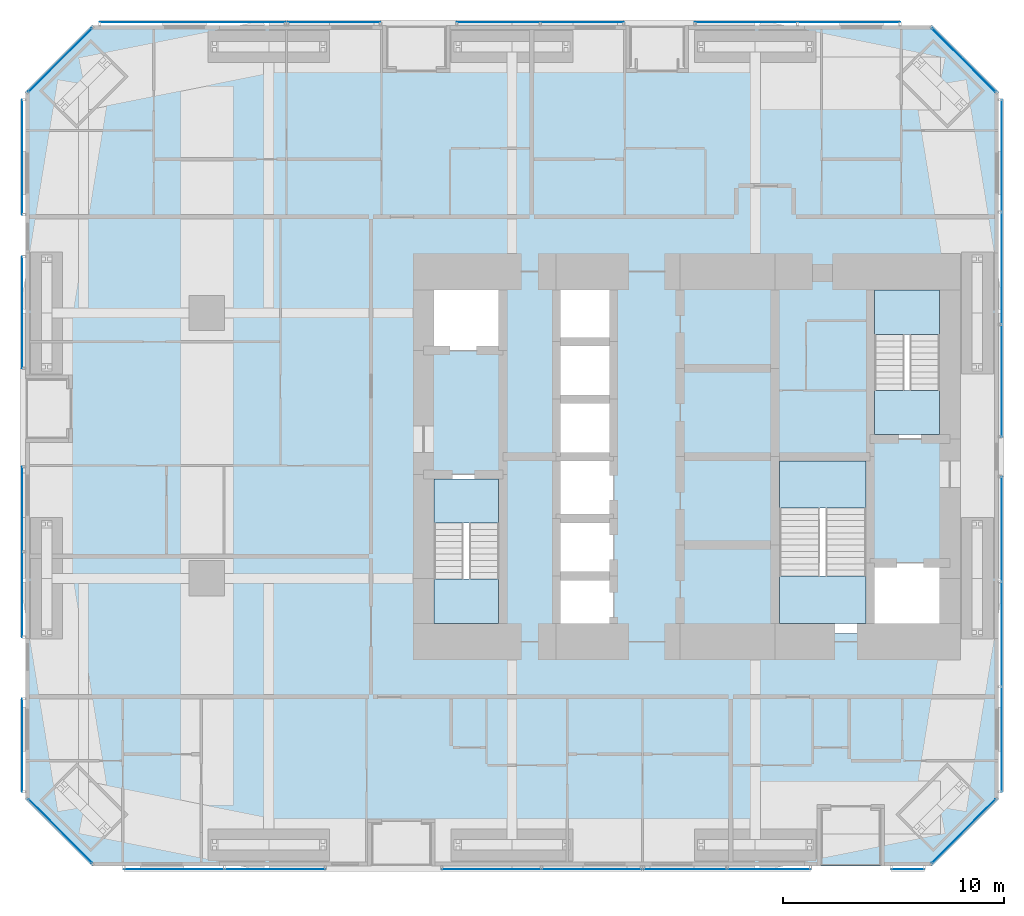
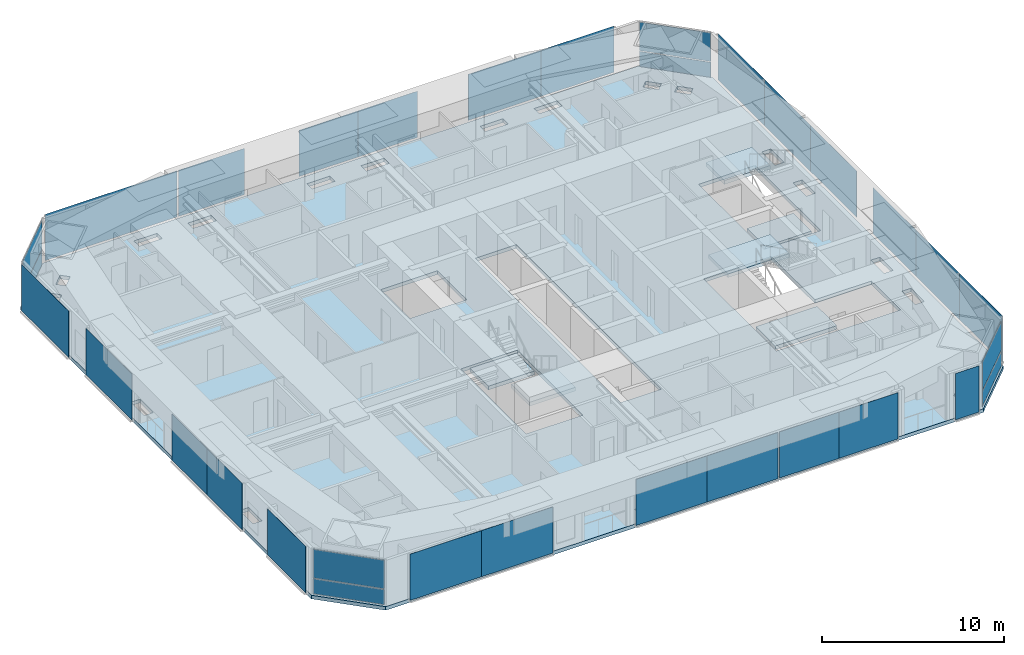
# One storey, part 14 of 22: 32 plates, 7 slabs, 21 elements without a shape of their own.
"""IFC4 building model written with IfcOpenShell, lengths in metres."""

from ifc_helpers import new_model, si_unit, direction, frame, origin, origin_2d, place, context, subcontext, project, spatial, polyline, rectangle, outline, extrude, material, layer, layer_set, type_object, element, aggregate, save


model = new_model("IFC4")

# Units and contexts
model_context = context("Model", 3, precision=1e-05, world=origin(), true_north=direction((0.0, 1.0)))
body_context = subcontext(model_context, "Body", "Model", "MODEL_VIEW")
ifc_project = project(units=[si_unit("LENGTHUNIT", "METRE"), si_unit("AREAUNIT", "SQUARE_METRE"), si_unit("VOLUMEUNIT", "CUBIC_METRE"), si_unit("PLANEANGLEUNIT", "RADIAN"), si_unit("MASSUNIT", "GRAM", prefix="KILO")], contexts=[model_context])

# Site, building, storey
site_placement = place(None, origin())
site = spatial("IfcSite", under=ifc_project, at=site_placement, CompositionType="ELEMENT")
building_placement = place(site_placement, origin())
building = spatial("IfcBuilding", under=site, at=building_placement, Name="Jalousie Tower", CompositionType="ELEMENT")
storey_placement = place(building_placement, frame((0.0, 0.0, 67.89990234375)))
storey = spatial("IfcBuildingStorey", under=building, at=storey_placement, Name="L18", CompositionType="ELEMENT", Elevation=67.89990234375)

# Curtain wall, plates
ifc_material_1 = material(Name="Aluminium curtain wall", Category="aluminium")
curtain_wall_type_1 = type_object("IfcCurtainWallType", Name="CORNER WINDOW WALL", PredefinedType="USERDEFINED", material=ifc_material_1)
curtain_wall_1_placement = place(storey_placement, origin())
curtain_wall_1 = element("IfcCurtainWall", 1, at=curtain_wall_1_placement, inside=storey, type_object=curtain_wall_type_1, Name="Corner Window Wall L18 2", ObjectType="CORNER WINDOW WALL", PredefinedType="USERDEFINED")
ifc_material_2 = material(Name="Laminated impact-rated spandrel glass", Category="glass")
ifc_layer_1 = layer(ifc_material_2, 0.028076171875)
ifc_layer_set_1 = layer_set([ifc_layer_1], Name="Laminated impact-rated spandrel glass")
plate_type_1 = type_object("IfcPlateType", Name="CORNER WINDOW WALL PANEL", PredefinedType="CURTAIN_PANEL", material=ifc_layer_set_1)
plate_1_placement = place(storey_placement, frame((44.4306640625, 1.5693359375, 0.06005859375), z_axis=(0.0, 0.0, 1.0), x_axis=(0.707106781187, 0.707106781187, 0.0)))
plate_1 = element("IfcPlate", 2, at=plate_1_placement, type_object=plate_type_1, Name="CW-C panel 1.1", PredefinedType="CURTAIN_PANEL", context=body_context, shape_type="SweptSolid", body=[
    extrude(rectangle(XDim=4.071533203125, YDim=0.028076171875, at=origin_2d()), origin(), (0.0, 0.0, 1.0), 1.010009765625),
])
plate_2_placement = place(storey_placement, frame((44.4306640625, 1.5693359375, 1.130126953125), z_axis=(0.0, 0.0, 1.0), x_axis=(0.707106781187, 0.707106781187, 0.0)))
plate_2 = element("IfcPlate", 3, at=plate_2_placement, type_object=plate_type_1, Name="CW-C panel 1.2", PredefinedType="CURTAIN_PANEL", context=body_context, shape_type="SweptSolid", body=[
    extrude(rectangle(XDim=4.071533203125, YDim=0.028076171875, at=origin_2d()), origin(), (0.0, 0.0, 1.0), 1.919921875),
])
aggregate(curtain_wall_1, [plate_1, plate_2])

curtain_wall_2_placement = place(storey_placement, origin())
curtain_wall_2 = element("IfcCurtainWall", 4, at=curtain_wall_2_placement, inside=storey, type_object=curtain_wall_type_1, Name="Corner Window Wall L18 4", ObjectType="CORNER WINDOW WALL", PredefinedType="USERDEFINED")
plate_3_placement = place(storey_placement, frame((44.4306640625, 36.4306640625, 0.06005859375), z_axis=(0.0, 0.0, 1.0), x_axis=(-0.707106781187, 0.707106781187, 0.0)))
plate_3 = element("IfcPlate", 5, at=plate_3_placement, type_object=plate_type_1, Name="CW-C panel 1.1", PredefinedType="CURTAIN_PANEL", context=body_context, shape_type="SweptSolid", body=[
    extrude(rectangle(XDim=4.071533203125, YDim=0.028076171875, at=origin_2d()), origin(), (0.0, 0.0, 1.0), 1.010009765625),
])
plate_4_placement = place(storey_placement, frame((44.4306640625, 36.4306640625, 1.130126953125), z_axis=(0.0, 0.0, 1.0), x_axis=(-0.707106781187, 0.707106781187, 0.0)))
plate_4 = element("IfcPlate", 6, at=plate_4_placement, type_object=plate_type_1, Name="CW-C panel 1.2", PredefinedType="CURTAIN_PANEL", context=body_context, shape_type="SweptSolid", body=[
    extrude(rectangle(XDim=4.071533203125, YDim=0.028076171875, at=origin_2d()), origin(), (0.0, 0.0, 1.0), 1.919921875),
])
aggregate(curtain_wall_2, [plate_3, plate_4])

curtain_wall_3_placement = place(storey_placement, origin())
curtain_wall_3 = element("IfcCurtainWall", 7, at=curtain_wall_3_placement, inside=storey, type_object=curtain_wall_type_1, Name="Corner Window Wall L18 6", ObjectType="CORNER WINDOW WALL", PredefinedType="USERDEFINED")
plate_5_placement = place(storey_placement, frame((3.5693359375, 36.4306640625, 0.06005859375), z_axis=(0.0, 0.0, 1.0), x_axis=(-0.707106781187, -0.707106781187, 0.0)))
plate_5 = element("IfcPlate", 8, at=plate_5_placement, type_object=plate_type_1, Name="CW-C panel 1.1", PredefinedType="CURTAIN_PANEL", context=body_context, shape_type="SweptSolid", body=[
    extrude(rectangle(XDim=4.071533203125, YDim=0.028076171875, at=origin_2d()), origin(), (0.0, 0.0, 1.0), 1.010009765625),
])
plate_6_placement = place(storey_placement, frame((3.5693359375, 36.4306640625, 1.130126953125), z_axis=(0.0, 0.0, 1.0), x_axis=(-0.707106781187, -0.707106781187, 0.0)))
plate_6 = element("IfcPlate", 9, at=plate_6_placement, type_object=plate_type_1, Name="CW-C panel 1.2", PredefinedType="CURTAIN_PANEL", context=body_context, shape_type="SweptSolid", body=[
    extrude(rectangle(XDim=4.071533203125, YDim=0.028076171875, at=origin_2d()), origin(), (0.0, 0.0, 1.0), 1.919921875),
])
aggregate(curtain_wall_3, [plate_5, plate_6])

curtain_wall_4_placement = place(storey_placement, origin())
curtain_wall_4 = element("IfcCurtainWall", 10, at=curtain_wall_4_placement, inside=storey, type_object=curtain_wall_type_1, Name="Corner Window Wall L18 8", ObjectType="CORNER WINDOW WALL", PredefinedType="USERDEFINED")
plate_7_placement = place(storey_placement, frame((3.5693359375, 1.5693359375, 0.06005859375), z_axis=(0.0, 0.0, 1.0), x_axis=(0.707106781187, -0.707106781187, 0.0)))
plate_7 = element("IfcPlate", 11, at=plate_7_placement, type_object=plate_type_1, Name="CW-C panel 1.1", PredefinedType="CURTAIN_PANEL", context=body_context, shape_type="SweptSolid", body=[
    extrude(rectangle(XDim=4.071533203125, YDim=0.028076171875, at=origin_2d()), origin(), (0.0, 0.0, 1.0), 1.010009765625),
])
plate_8_placement = place(storey_placement, frame((3.5693359375, 1.5693359375, 1.130126953125), z_axis=(0.0, 0.0, 1.0), x_axis=(0.707106781187, -0.707106781187, 0.0)))
plate_8 = element("IfcPlate", 12, at=plate_8_placement, type_object=plate_type_1, Name="CW-C panel 1.2", PredefinedType="CURTAIN_PANEL", context=body_context, shape_type="SweptSolid", body=[
    extrude(rectangle(XDim=4.071533203125, YDim=0.028076171875, at=origin_2d()), origin(), (0.0, 0.0, 1.0), 1.919921875),
])
aggregate(curtain_wall_4, [plate_7, plate_8])

# Slab
ifc_material_3 = material(Name="Concrete f'c 40 MPa", Category="concrete")
ifc_layer_2 = layer(ifc_material_3, 0.239990234375)
ifc_layer_set_2 = layer_set([ifc_layer_2], Name="Concrete f'c 40 MPa")
slab_type_1 = type_object("IfcSlabType", Name="FLOOR SLAB 240", PredefinedType="FLOOR", material=ifc_layer_set_2)
slab_1_placement = place(storey_placement, frame((0.0, 0.0, -0.239990234375)))
element("IfcSlab", 13, at=slab_1_placement, inside=storey, type_object=slab_type_1, Name="L18 floor slab", PredefinedType="FLOOR", context=body_context, shape_type="SweptSolid", body=[
    extrude(outline(polyline([(5.0, 0.0), (43.0, 0.0), (46.0, 3.0), (46.0, 35.0), (43.0, 38.0), (5.0, 38.0), (2.0, 35.0), (2.0, 3.0), (5.0, 0.0)]), holes=[polyline([(24.986083984375, 0.663818359375), (24.986083984375, 1.236083984375), (26.390380859375, 1.236083984375), (26.449951171875, 1.236083984375), (26.449951171875, 0.663818359375), (26.390380859375, 0.663818359375), (24.986083984375, 0.663818359375)]), polyline([(23.013916015625, 1.236083984375), (23.013916015625, 0.663818359375), (21.609619140625, 0.663818359375), (21.550048828125, 0.663818359375), (21.550048828125, 1.236083984375), (21.609619140625, 1.236083984375), (23.013916015625, 1.236083984375)]), polyline([(10.550048828125, 1.236083984375), (10.609619140625, 1.236083984375), (12.013916015625, 1.236083984375), (12.013916015625, 0.663818359375), (10.609619140625, 0.663818359375), (10.550048828125, 0.663818359375), (10.550048828125, 1.236083984375)]), polyline([(13.986083984375, 1.236083984375), (15.390380859375, 1.236083984375), (15.449951171875, 1.236083984375), (15.449951171875, 0.663818359375), (15.390380859375, 0.663818359375), (13.986083984375, 0.663818359375), (13.986083984375, 1.236083984375)]), polyline([(5.719970703125, 1.947509765625), (5.788330078125, 1.879150390625), (5.788330078125, 1.879150390625), (5.5859375, 1.6767578125), (5.383544921875, 1.474365234375), (4.750244140625, 2.10791015625), (5.155029296875, 2.5126953125), (5.7021484375, 1.96533203125), (5.719970703125, 1.947509765625)]), polyline([(3.879150390625, 3.788330078125), (3.96533203125, 3.7021484375), (4.5126953125, 3.155029296875), (4.10791015625, 2.750244140625), (3.560791015625, 3.29736328125), (3.474365234375, 3.383544921875), (3.474365234375, 3.383544921875), (3.6767578125, 3.5859375), (3.879150390625, 3.788330078125)]), polyline([(3.236083984375, 10.550048828125), (2.663818359375, 10.550048828125), (2.663818359375, 10.609619140625), (2.663818359375, 12.013916015625), (3.236083984375, 12.013916015625), (3.236083984375, 10.609619140625), (3.236083984375, 10.550048828125)]), polyline([(26.0, 10.5), (26.0, 26.5), (28.60009765625, 26.5), (28.60009765625, 10.5), (26.0, 10.5)]), polyline([(20.0, 10.5), (23.60009765625, 10.5), (23.60009765625, 17.699951171875), (20.0, 17.699951171875), (20.0, 10.5)]), polyline([(3.236083984375, 15.390380859375), (3.236083984375, 13.986083984375), (2.663818359375, 13.986083984375), (2.663818359375, 15.390380859375), (2.663818359375, 15.449951171875), (3.236083984375, 15.449951171875), (3.236083984375, 15.390380859375)]), polyline([(2.663818359375, 24.013916015625), (3.236083984375, 24.013916015625), (3.236083984375, 22.609619140625), (3.236083984375, 22.550048828125), (2.663818359375, 22.550048828125), (2.663818359375, 22.609619140625), (2.663818359375, 24.013916015625)]), polyline([(20.0, 23.300048828125), (23.60009765625, 23.300048828125), (23.60009765625, 26.5), (20.0, 26.5), (20.0, 23.300048828125)]), polyline([(3.236083984375, 25.986083984375), (2.663818359375, 25.986083984375), (2.663818359375, 27.390380859375), (2.663818359375, 27.449951171875), (3.236083984375, 27.449951171875), (3.236083984375, 27.390380859375), (3.236083984375, 25.986083984375)]), polyline([(3.879150390625, 34.211669921875), (3.6767578125, 34.4140625), (3.474365234375, 34.616455078125), (3.560791015625, 34.70263671875), (3.560791015625, 34.70263671875), (4.10791015625, 35.249755859375), (4.5126953125, 34.844970703125), (3.951904296875, 34.284423828125), (3.879150390625, 34.211669921875), (3.879150390625, 34.211669921875), (3.879150390625, 34.211669921875)]), polyline([(5.788330078125, 36.120849609375), (5.155029296875, 35.4873046875), (4.750244140625, 35.89208984375), (5.383544921875, 36.525634765625), (5.383544921875, 36.525634765625), (5.383544921875, 36.525634765625), (5.5859375, 36.3232421875), (5.788330078125, 36.120849609375)]), polyline([(15.449951171875, 37.336181640625), (15.449951171875, 36.763916015625), (15.390380859375, 36.763916015625), (13.986083984375, 36.763916015625), (13.986083984375, 37.336181640625), (15.390380859375, 37.336181640625), (15.449951171875, 37.336181640625)]), polyline([(23.013916015625, 36.763916015625), (21.609619140625, 36.763916015625), (21.550048828125, 36.763916015625), (21.550048828125, 37.336181640625), (21.609619140625, 37.336181640625), (23.013916015625, 37.336181640625), (23.013916015625, 36.763916015625)]), polyline([(10.550048828125, 36.763916015625), (10.550048828125, 37.336181640625), (10.609619140625, 37.336181640625), (12.013916015625, 37.336181640625), (12.013916015625, 36.763916015625), (10.609619140625, 36.763916015625), (10.550048828125, 36.763916015625)]), polyline([(24.986083984375, 37.336181640625), (26.390380859375, 37.336181640625), (26.449951171875, 37.336181640625), (26.449951171875, 36.763916015625), (26.390380859375, 36.763916015625), (24.986083984375, 36.763916015625), (24.986083984375, 37.336181640625)]), polyline([(32.609619140625, 0.663818359375), (32.550048828125, 0.663818359375), (32.550048828125, 1.236083984375), (32.609619140625, 1.236083984375), (34.013916015625, 1.236083984375), (34.013916015625, 0.663818359375), (32.609619140625, 0.663818359375)]), polyline([(37.390380859375, 1.236083984375), (37.449951171875, 1.236083984375), (37.449951171875, 0.663818359375), (37.390380859375, 0.663818359375), (35.986083984375, 0.663818359375), (35.986083984375, 1.236083984375), (37.390380859375, 1.236083984375)]), polyline([(42.70263671875, 1.560791015625), (42.70263671875, 1.560791015625), (42.616455078125, 1.474365234375), (42.4140625, 1.6767578125), (42.211669921875, 1.879150390625), (42.211669921875, 1.879150390625), (42.211669921875, 1.879150390625), (42.2978515625, 1.96533203125), (42.2978515625, 1.96533203125), (42.844970703125, 2.5126953125), (43.249755859375, 2.10791015625), (42.70263671875, 1.560791015625)]), polyline([(44.120849609375, 3.788330078125), (44.3232421875, 3.5859375), (44.525634765625, 3.383544921875), (44.525634765625, 3.383544921875), (44.525634765625, 3.383544921875), (43.89208984375, 2.750244140625), (43.4873046875, 3.155029296875), (44.120849609375, 3.788330078125)]), polyline([(45.336181640625, 10.550048828125), (44.763916015625, 10.550048828125), (44.763916015625, 10.609619140625), (44.763916015625, 12.013916015625), (45.336181640625, 12.013916015625), (45.336181640625, 10.609619140625), (45.336181640625, 10.550048828125)]), polyline([(35.89990234375, 10.5), (35.89990234375, 18.5), (40.199951171875, 18.5), (40.199951171875, 13.699951171875), (43.800048828125, 13.699951171875), (43.800048828125, 10.5), (35.89990234375, 10.5)]), polyline([(45.336181640625, 13.986083984375), (44.763916015625, 13.986083984375), (44.763916015625, 15.390380859375), (44.763916015625, 15.449951171875), (45.336181640625, 15.449951171875), (45.336181640625, 15.390380859375), (45.336181640625, 13.986083984375)]), polyline([(40.199951171875, 19.300048828125), (43.800048828125, 19.300048828125), (43.800048828125, 26.5), (40.199951171875, 26.5), (40.199951171875, 19.300048828125)]), polyline([(45.336181640625, 22.550048828125), (44.763916015625, 22.550048828125), (44.763916015625, 22.609619140625), (44.763916015625, 24.013916015625), (45.336181640625, 24.013916015625), (45.336181640625, 22.609619140625), (45.336181640625, 22.550048828125)]), polyline([(45.336181640625, 27.390380859375), (45.336181640625, 25.986083984375), (44.763916015625, 25.986083984375), (44.763916015625, 27.390380859375), (44.763916015625, 27.449951171875), (45.336181640625, 27.449951171875), (45.336181640625, 27.390380859375)]), polyline([(43.89208984375, 35.249755859375), (44.439208984375, 34.70263671875), (44.525634765625, 34.616455078125), (44.120849609375, 34.211669921875), (43.4873046875, 34.844970703125), (43.89208984375, 35.249755859375)]), polyline([(42.844970703125, 35.4873046875), (42.211669921875, 36.120849609375), (42.616455078125, 36.525634765625), (42.70263671875, 36.439208984375), (43.249755859375, 35.89208984375), (42.844970703125, 35.4873046875)]), polyline([(37.390380859375, 37.336181640625), (37.449951171875, 37.336181640625), (37.449951171875, 36.763916015625), (37.390380859375, 36.763916015625), (35.986083984375, 36.763916015625), (35.986083984375, 37.336181640625), (37.390380859375, 37.336181640625)]), polyline([(34.013916015625, 37.336181640625), (34.013916015625, 36.763916015625), (32.609619140625, 36.763916015625), (32.550048828125, 36.763916015625), (32.550048828125, 37.336181640625), (32.609619140625, 37.336181640625), (34.013916015625, 37.336181640625)])]), origin(), (0.0, 0.0, 1.0), 0.239990234375),
])

# Curtain wall, plates
ifc_material_4 = material(Name="Perforated aluminium sheet", Category="aluminium")
curtain_wall_type_2 = type_object("IfcCurtainWallType", Name="SOLAR SCREEN SS-1", PredefinedType="USERDEFINED", material=ifc_material_4)
curtain_wall_5_placement = place(storey_placement, origin())
curtain_wall_5 = element("IfcCurtainWall", 14, at=curtain_wall_5_placement, inside=storey, type_object=curtain_wall_type_2, Name="Solar screen L18", ObjectType="SOLAR SCREEN SS-1", PredefinedType="USERDEFINED")
ifc_material_5 = material(Name="Perforated aluminium sheet", Category="aluminium")
ifc_layer_3 = layer(ifc_material_5, 0.006103515625)
ifc_layer_set_3 = layer_set([ifc_layer_3], Name="Perforated aluminium sheet")
plate_type_2 = type_object("IfcPlateType", Name="SOLAR SCREEN SS-1 PANEL", PredefinedType="CURTAIN_PANEL", material=ifc_layer_set_3)
plate_9_placement = place(storey_placement, frame((8.72509765625, -0.150390625, 0.0), z_axis=(0.0, 0.0, 1.0), x_axis=(1.0, 0.0, 0.0)))
plate_9 = element("IfcPlate", 15, at=plate_9_placement, type_object=plate_type_2, Name="SS1 perforated panel 1", PredefinedType="CURTAIN_PANEL", context=body_context, shape_type="SweptSolid", body=[
    extrude(rectangle(XDim=4.550048828125, YDim=0.006103515625, at=origin_2d()), origin(), (0.0, 0.0, 1.0), 3.110107421875),
])
plate_10_placement = place(storey_placement, frame((13.27490234375, -0.150390625, 0.0), z_axis=(0.0, 0.0, 1.0), x_axis=(1.0, 0.0, 0.0)))
plate_10 = element("IfcPlate", 16, at=plate_10_placement, type_object=plate_type_2, Name="SS1 perforated panel 2", PredefinedType="CURTAIN_PANEL", context=body_context, shape_type="SweptSolid", body=[
    extrude(rectangle(XDim=4.550048828125, YDim=0.006103515625, at=origin_2d()), origin(), (0.0, 0.0, 1.0), 3.110107421875),
])
aggregate(curtain_wall_5, [plate_9, plate_10])

curtain_wall_6_placement = place(storey_placement, origin())
curtain_wall_6 = element("IfcCurtainWall", 17, at=curtain_wall_6_placement, inside=storey, type_object=curtain_wall_type_2, Name="Solar screen L18", ObjectType="SOLAR SCREEN SS-1", PredefinedType="USERDEFINED")
plate_11_placement = place(storey_placement, frame((23.081298828125, -0.150390625, 0.0), z_axis=(0.0, 0.0, 1.0), x_axis=(1.0, 0.0, 0.0)))
plate_11 = element("IfcPlate", 18, at=plate_11_placement, type_object=plate_type_2, Name="SS1 perforated panel 1", PredefinedType="CURTAIN_PANEL", context=body_context, shape_type="SweptSolid", body=[
    extrude(rectangle(XDim=4.512451171875, YDim=0.006103515625, at=origin_2d()), origin(), (0.0, 0.0, 1.0), 3.110107421875),
])
plate_12_placement = place(storey_placement, frame((27.59375, -0.150390625, 0.0), z_axis=(0.0, 0.0, 1.0), x_axis=(1.0, 0.0, 0.0)))
plate_12 = element("IfcPlate", 19, at=plate_12_placement, type_object=plate_type_2, Name="SS1 perforated panel 2", PredefinedType="CURTAIN_PANEL", context=body_context, shape_type="SweptSolid", body=[
    extrude(rectangle(XDim=4.512451171875, YDim=0.006103515625, at=origin_2d()), origin(), (0.0, 0.0, 1.0), 3.110107421875),
])
aggregate(curtain_wall_6, [plate_11, plate_12])

curtain_wall_7_placement = place(storey_placement, origin())
curtain_wall_7 = element("IfcCurtainWall", 20, at=curtain_wall_7_placement, inside=storey, type_object=curtain_wall_type_2, Name="Solar screen L18", ObjectType="SOLAR SCREEN SS-1", PredefinedType="USERDEFINED")
plate_13_placement = place(storey_placement, frame((31.83740234375, -0.150390625, 0.0), z_axis=(0.0, 0.0, 1.0), x_axis=(1.0, 0.0, 0.0)))
plate_13 = element("IfcPlate", 21, at=plate_13_placement, type_object=plate_type_2, Name="SS1 perforated panel 1", PredefinedType="CURTAIN_PANEL", context=body_context, shape_type="SweptSolid", body=[
    extrude(rectangle(XDim=3.77490234375, YDim=0.006103515625, at=origin_2d()), origin(), (0.0, 0.0, 1.0), 3.110107421875),
])
plate_14_placement = place(storey_placement, frame((35.612548828125, -0.150390625, 0.0), z_axis=(0.0, 0.0, 1.0), x_axis=(1.0, 0.0, 0.0)))
plate_14 = element("IfcPlate", 22, at=plate_14_placement, type_object=plate_type_2, Name="SS1 perforated panel 2", PredefinedType="CURTAIN_PANEL", context=body_context, shape_type="SweptSolid", body=[
    extrude(rectangle(XDim=3.77490234375, YDim=0.006103515625, at=origin_2d()), origin(), (0.0, 0.0, 1.0), 3.110107421875),
])
aggregate(curtain_wall_7, [plate_13, plate_14])

# Curtain wall, plate
curtain_wall_8_placement = place(storey_placement, origin())
curtain_wall_8 = element("IfcCurtainWall", 23, at=curtain_wall_8_placement, inside=storey, type_object=curtain_wall_type_2, Name="Solar screen L18", ObjectType="SOLAR SCREEN SS-1", PredefinedType="USERDEFINED")
plate_15_placement = place(storey_placement, frame((41.8994140625, -0.150390625, 0.0), z_axis=(0.0, 0.0, 1.0), x_axis=(1.0, 0.0, 0.0)))
plate_15 = element("IfcPlate", 24, at=plate_15_placement, type_object=plate_type_2, Name="SS1 perforated panel 1", PredefinedType="CURTAIN_PANEL", context=body_context, shape_type="SweptSolid", body=[
    extrude(rectangle(XDim=1.498779296875, YDim=0.006103515625, at=origin_2d()), origin(), (0.0, 0.0, 1.0), 3.110107421875),
])
aggregate(curtain_wall_8, [plate_15])

# Curtain wall, plates
curtain_wall_9_placement = place(storey_placement, origin())
curtain_wall_9 = element("IfcCurtainWall", 25, at=curtain_wall_9_placement, inside=storey, type_object=curtain_wall_type_2, Name="Solar screen L18", ObjectType="SOLAR SCREEN SS-1", PredefinedType="USERDEFINED")
plate_16_placement = place(storey_placement, frame((46.150390625, 5.72607421875, 0.0), z_axis=(0.0, 0.0, 1.0), x_axis=(0.0, 1.0, 0.0)))
plate_16 = element("IfcPlate", 26, at=plate_16_placement, type_object=plate_type_2, Name="SS1 perforated panel 1", PredefinedType="CURTAIN_PANEL", context=body_context, shape_type="SweptSolid", body=[
    extrude(rectangle(XDim=4.74951171875, YDim=0.006103515625, at=origin_2d()), origin(), (0.0, 0.0, 1.0), 3.110107421875),
])
plate_17_placement = place(storey_placement, frame((46.150390625, 10.4755859375, 0.0), z_axis=(0.0, 0.0, 1.0), x_axis=(0.0, 1.0, 0.0)))
plate_17 = element("IfcPlate", 27, at=plate_17_placement, type_object=plate_type_2, Name="SS1 perforated panel 2", PredefinedType="CURTAIN_PANEL", context=body_context, shape_type="SweptSolid", body=[
    extrude(rectangle(XDim=4.74951171875, YDim=0.006103515625, at=origin_2d()), origin(), (0.0, 0.0, 1.0), 3.110107421875),
])
plate_18_placement = place(storey_placement, frame((46.150390625, 15.22509765625, 0.0), z_axis=(0.0, 0.0, 1.0), x_axis=(0.0, 1.0, 0.0)))
plate_18 = element("IfcPlate", 28, at=plate_18_placement, type_object=plate_type_2, Name="SS1 perforated panel 3", PredefinedType="CURTAIN_PANEL", context=body_context, shape_type="SweptSolid", body=[
    extrude(rectangle(XDim=4.74951171875, YDim=0.006103515625, at=origin_2d()), origin(), (0.0, 0.0, 1.0), 3.110107421875),
])
aggregate(curtain_wall_9, [plate_16, plate_17, plate_18])

curtain_wall_10_placement = place(storey_placement, origin())
curtain_wall_10 = element("IfcCurtainWall", 29, at=curtain_wall_10_placement, inside=storey, type_object=curtain_wall_type_2, Name="Solar screen L18", ObjectType="SOLAR SCREEN SS-1", PredefinedType="USERDEFINED")
plate_19_placement = place(storey_placement, frame((46.150390625, 21.94140625, 0.0), z_axis=(0.0, 0.0, 1.0), x_axis=(0.0, 1.0, 0.0)))
plate_19 = element("IfcPlate", 30, at=plate_19_placement, type_object=plate_type_2, Name="SS1 perforated panel 1", PredefinedType="CURTAIN_PANEL", context=body_context, shape_type="SweptSolid", body=[
    extrude(rectangle(XDim=5.0830078125, YDim=0.006103515625, at=origin_2d()), origin(), (0.0, 0.0, 1.0), 3.110107421875),
])
plate_20_placement = place(storey_placement, frame((46.150390625, 27.0244140625, 0.0), z_axis=(0.0, 0.0, 1.0), x_axis=(0.0, 1.0, 0.0)))
plate_20 = element("IfcPlate", 31, at=plate_20_placement, type_object=plate_type_2, Name="SS1 perforated panel 2", PredefinedType="CURTAIN_PANEL", context=body_context, shape_type="SweptSolid", body=[
    extrude(rectangle(XDim=5.0830078125, YDim=0.006103515625, at=origin_2d()), origin(), (0.0, 0.0, 1.0), 3.110107421875),
])
plate_21_placement = place(storey_placement, frame((46.150390625, 32.107177734375, 0.0), z_axis=(0.0, 0.0, 1.0), x_axis=(0.0, 1.0, 0.0)))
plate_21 = element("IfcPlate", 32, at=plate_21_placement, type_object=plate_type_2, Name="SS1 perforated panel 3", PredefinedType="CURTAIN_PANEL", context=body_context, shape_type="SweptSolid", body=[
    extrude(rectangle(XDim=5.0830078125, YDim=0.006103515625, at=origin_2d()), origin(), (0.0, 0.0, 1.0), 3.110107421875),
])
aggregate(curtain_wall_10, [plate_19, plate_20, plate_21])

curtain_wall_11_placement = place(storey_placement, origin())
curtain_wall_11 = element("IfcCurtainWall", 33, at=curtain_wall_11_placement, inside=storey, type_object=curtain_wall_type_2, Name="Solar screen L18", ObjectType="SOLAR SCREEN SS-1", PredefinedType="USERDEFINED")
plate_22_placement = place(storey_placement, frame((39.231201171875, 38.150390625, 0.0), z_axis=(0.0, 0.0, 1.0), x_axis=(-1.0, 0.0, 0.0)))
plate_22 = element("IfcPlate", 34, at=plate_22_placement, type_object=plate_type_2, Name="SS1 perforated panel 1", PredefinedType="CURTAIN_PANEL", context=body_context, shape_type="SweptSolid", body=[
    extrude(rectangle(XDim=4.637451171875, YDim=0.006103515625, at=origin_2d()), origin(), (0.0, 0.0, 1.0), 3.110107421875),
])
plate_23_placement = place(storey_placement, frame((34.59375, 38.150390625, 0.0), z_axis=(0.0, 0.0, 1.0), x_axis=(-1.0, 0.0, 0.0)))
plate_23 = element("IfcPlate", 35, at=plate_23_placement, type_object=plate_type_2, Name="SS1 perforated panel 2", PredefinedType="CURTAIN_PANEL", context=body_context, shape_type="SweptSolid", body=[
    extrude(rectangle(XDim=4.637451171875, YDim=0.006103515625, at=origin_2d()), origin(), (0.0, 0.0, 1.0), 3.110107421875),
])
aggregate(curtain_wall_11, [plate_22, plate_23])

curtain_wall_12_placement = place(storey_placement, origin())
curtain_wall_12 = element("IfcCurtainWall", 36, at=curtain_wall_12_placement, inside=storey, type_object=curtain_wall_type_2, Name="Solar screen L18", ObjectType="SOLAR SCREEN SS-1", PredefinedType="USERDEFINED")
plate_24_placement = place(storey_placement, frame((27.16259765625, 38.150390625, 0.0), z_axis=(0.0, 0.0, 1.0), x_axis=(-1.0, 0.0, 0.0)))
plate_24 = element("IfcPlate", 37, at=plate_24_placement, type_object=plate_type_2, Name="SS1 perforated panel 1", PredefinedType="CURTAIN_PANEL", context=body_context, shape_type="SweptSolid", body=[
    extrude(rectangle(XDim=3.77490234375, YDim=0.006103515625, at=origin_2d()), origin(), (0.0, 0.0, 1.0), 3.110107421875),
])
plate_25_placement = place(storey_placement, frame((23.387451171875, 38.150390625, 0.0), z_axis=(0.0, 0.0, 1.0), x_axis=(-1.0, 0.0, 0.0)))
plate_25 = element("IfcPlate", 38, at=plate_25_placement, type_object=plate_type_2, Name="SS1 perforated panel 2", PredefinedType="CURTAIN_PANEL", context=body_context, shape_type="SweptSolid", body=[
    extrude(rectangle(XDim=3.77490234375, YDim=0.006103515625, at=origin_2d()), origin(), (0.0, 0.0, 1.0), 3.110107421875),
])
aggregate(curtain_wall_12, [plate_24, plate_25])

# Curtain wall, plate
curtain_wall_13_placement = place(storey_placement, origin())
curtain_wall_13 = element("IfcCurtainWall", 39, at=curtain_wall_13_placement, inside=storey, type_object=curtain_wall_type_2, Name="Solar screen L18", ObjectType="SOLAR SCREEN SS-1", PredefinedType="USERDEFINED")
plate_26_placement = place(storey_placement, frame((15.949951171875, 38.150390625, 0.0), z_axis=(0.0, 0.0, 1.0), x_axis=(-1.0, 0.0, 0.0)))
plate_26 = element("IfcPlate", 40, at=plate_26_placement, type_object=plate_type_2, Name="SS1 perforated panel 1", PredefinedType="CURTAIN_PANEL", context=body_context, shape_type="SweptSolid", body=[
    extrude(rectangle(XDim=4.199951171875, YDim=0.006103515625, at=origin_2d()), origin(), (0.0, 0.0, 1.0), 3.110107421875),
])
aggregate(curtain_wall_13, [plate_26])

curtain_wall_14_placement = place(storey_placement, origin())
curtain_wall_14 = element("IfcCurtainWall", 41, at=curtain_wall_14_placement, inside=storey, type_object=curtain_wall_type_2, Name="Solar screen L18", ObjectType="SOLAR SCREEN SS-1", PredefinedType="USERDEFINED")
plate_27_placement = place(storey_placement, frame((9.55078125, 38.150390625, 0.0), z_axis=(0.0, 0.0, 1.0), x_axis=(-1.0, 0.0, 0.0)))
plate_27 = element("IfcPlate", 42, at=plate_27_placement, type_object=plate_type_2, Name="SS1 perforated panel 1", PredefinedType="CURTAIN_PANEL", context=body_context, shape_type="SweptSolid", body=[
    extrude(rectangle(XDim=8.398681640625, YDim=0.006103515625, at=origin_2d()), origin(), (0.0, 0.0, 1.0), 3.110107421875),
])
aggregate(curtain_wall_14, [plate_27])

curtain_wall_15_placement = place(storey_placement, origin())
curtain_wall_15 = element("IfcCurtainWall", 43, at=curtain_wall_15_placement, inside=storey, type_object=curtain_wall_type_2, Name="Solar screen L18", ObjectType="SOLAR SCREEN SS-1", PredefinedType="USERDEFINED")
plate_28_placement = place(storey_placement, frame((1.849609375, 32.04931640625, 0.0), z_axis=(0.0, 0.0, 1.0), x_axis=(0.0, -1.0, 0.0)))
plate_28 = element("IfcPlate", 44, at=plate_28_placement, type_object=plate_type_2, Name="SS1 perforated panel 1", PredefinedType="CURTAIN_PANEL", context=body_context, shape_type="SweptSolid", body=[
    extrude(rectangle(XDim=5.19873046875, YDim=0.006103515625, at=origin_2d()), origin(), (0.0, 0.0, 1.0), 3.110107421875),
])
aggregate(curtain_wall_15, [plate_28])

curtain_wall_16_placement = place(storey_placement, origin())
curtain_wall_16 = element("IfcCurtainWall", 45, at=curtain_wall_16_placement, inside=storey, type_object=curtain_wall_type_2, Name="Solar screen L18", ObjectType="SOLAR SCREEN SS-1", PredefinedType="USERDEFINED")
plate_29_placement = place(storey_placement, frame((1.849609375, 25.02490234375, 0.0), z_axis=(0.0, 0.0, 1.0), x_axis=(0.0, -1.0, 0.0)))
plate_29 = element("IfcPlate", 46, at=plate_29_placement, type_object=plate_type_2, Name="SS1 perforated panel 1", PredefinedType="CURTAIN_PANEL", context=body_context, shape_type="SweptSolid", body=[
    extrude(rectangle(XDim=5.050048828125, YDim=0.006103515625, at=origin_2d()), origin(), (0.0, 0.0, 1.0), 3.110107421875),
])
aggregate(curtain_wall_16, [plate_29])

# Curtain wall, plates
curtain_wall_17_placement = place(storey_placement, origin())
curtain_wall_17 = element("IfcCurtainWall", 47, at=curtain_wall_17_placement, inside=storey, type_object=curtain_wall_type_2, Name="Solar screen L18", ObjectType="SOLAR SCREEN SS-1", PredefinedType="USERDEFINED")
plate_30_placement = place(storey_placement, frame((1.849609375, 16.123291015625, 0.0), z_axis=(0.0, 0.0, 1.0), x_axis=(0.0, -1.0, 0.0)))
plate_30 = element("IfcPlate", 48, at=plate_30_placement, type_object=plate_type_2, Name="SS1 perforated panel 1", PredefinedType="CURTAIN_PANEL", context=body_context, shape_type="SweptSolid", body=[
    extrude(rectangle(XDim=3.853271484375, YDim=0.006103515625, at=origin_2d()), origin(), (0.0, 0.0, 1.0), 3.110107421875),
])
plate_31_placement = place(storey_placement, frame((1.849609375, 12.270263671875, 0.0), z_axis=(0.0, 0.0, 1.0), x_axis=(0.0, -1.0, 0.0)))
plate_31 = element("IfcPlate", 49, at=plate_31_placement, type_object=plate_type_2, Name="SS1 perforated panel 2", PredefinedType="CURTAIN_PANEL", context=body_context, shape_type="SweptSolid", body=[
    extrude(rectangle(XDim=3.853271484375, YDim=0.006103515625, at=origin_2d()), origin(), (0.0, 0.0, 1.0), 3.110107421875),
])
aggregate(curtain_wall_17, [plate_30, plate_31])

# Curtain wall, plate
curtain_wall_18_placement = place(storey_placement, origin())
curtain_wall_18 = element("IfcCurtainWall", 50, at=curtain_wall_18_placement, inside=storey, type_object=curtain_wall_type_2, Name="Solar screen L18", ObjectType="SOLAR SCREEN SS-1", PredefinedType="USERDEFINED")
plate_32_placement = place(storey_placement, frame((1.849609375, 5.45068359375, 0.0), z_axis=(0.0, 0.0, 1.0), x_axis=(0.0, -1.0, 0.0)))
plate_32 = element("IfcPlate", 51, at=plate_32_placement, type_object=plate_type_2, Name="SS1 perforated panel 1", PredefinedType="CURTAIN_PANEL", context=body_context, shape_type="SweptSolid", body=[
    extrude(rectangle(XDim=4.19873046875, YDim=0.006103515625, at=origin_2d()), origin(), (0.0, 0.0, 1.0), 3.110107421875),
])
aggregate(curtain_wall_18, [plate_32])

# Stair, slabs
ifc_material_6 = material(Name="Concrete f'c 40 MPa", Category="concrete")
stair_type = type_object("IfcStairType", Name="EXIT STAIR", PredefinedType="HALF_TURN_STAIR", material=ifc_material_6)
stair_1_placement = place(storey_placement, origin())
stair_1 = element("IfcStair", 52, at=stair_1_placement, inside=storey, type_object=stair_type, Name="Exit stair A L18", PredefinedType="HALF_TURN_STAIR")
ifc_material_7 = material(Name="Concrete f'c 40 MPa", Category="concrete")
ifc_layer_4 = layer(ifc_material_7, 0.25)
ifc_layer_set_4 = layer_set([ifc_layer_4], Name="Concrete f'c 40 MPa")
slab_type_2 = type_object("IfcSlabType", Name="STAIR LANDING 250", PredefinedType="LANDING", material=ifc_layer_set_4)
slab_2_placement = place(storey_placement, frame((0.0, 0.0, -0.25)))
slab_2 = element("IfcSlab", 53, at=slab_2_placement, type_object=slab_type_2, Name="ST-A landing 1", PredefinedType="LANDING", context=body_context, shape_type="SweptSolid", body=[
    extrude(outline(polyline([(20.47509765625, 15.49755859375), (23.39990234375, 15.49755859375), (23.39990234375, 17.5), (20.47509765625, 17.5), (20.47509765625, 15.49755859375)])), origin(), (0.0, 0.0, 1.0), 0.25),
])
slab_3_placement = place(storey_placement, frame((0.0, 0.0, 1.425048828125)))
slab_3 = element("IfcSlab", 54, at=slab_3_placement, type_object=slab_type_2, Name="ST-A landing 2", PredefinedType="LANDING", context=body_context, shape_type="SweptSolid", body=[
    extrude(outline(polyline([(20.47509765625, 10.949951171875), (23.39990234375, 10.949951171875), (23.39990234375, 12.9775390625), (20.47509765625, 12.9775390625), (20.47509765625, 10.949951171875)])), origin(), (0.0, 0.0, 1.0), 0.25),
])
aggregate(stair_1, [slab_2, slab_3])

stair_2_placement = place(storey_placement, origin())
stair_2 = element("IfcStair", 55, at=stair_2_placement, inside=storey, type_object=stair_type, Name="Exit stair B L18", PredefinedType="HALF_TURN_STAIR")
slab_4_placement = place(storey_placement, frame((0.0, 0.0, -0.25)))
slab_4 = element("IfcSlab", 56, at=slab_4_placement, type_object=slab_type_2, Name="ST-B landing 1", PredefinedType="LANDING", context=body_context, shape_type="SweptSolid", body=[
    extrude(outline(polyline([(40.39990234375, 19.5), (43.324951171875, 19.5), (43.324951171875, 21.50244140625), (40.39990234375, 21.50244140625), (40.39990234375, 19.5)])), origin(), (0.0, 0.0, 1.0), 0.25),
])
slab_5_placement = place(storey_placement, frame((0.0, 0.0, 1.425048828125)))
slab_5 = element("IfcSlab", 57, at=slab_5_placement, type_object=slab_type_2, Name="ST-B landing 2", PredefinedType="LANDING", context=body_context, shape_type="SweptSolid", body=[
    extrude(outline(polyline([(40.39990234375, 24.0224609375), (43.324951171875, 24.0224609375), (43.324951171875, 26.050048828125), (40.39990234375, 26.050048828125), (40.39990234375, 24.0224609375)])), origin(), (0.0, 0.0, 1.0), 0.25),
])
aggregate(stair_2, [slab_4, slab_5])

stair_3_placement = place(storey_placement, origin())
stair_3 = element("IfcStair", 58, at=stair_3_placement, inside=storey, type_object=stair_type, Name="Exit stair C L18", PredefinedType="HALF_TURN_STAIR")
slab_6_placement = place(storey_placement, frame((0.0, 0.0, -0.25)))
slab_6 = element("IfcSlab", 59, at=slab_6_placement, type_object=slab_type_2, Name="ST-C landing 1", PredefinedType="LANDING", context=body_context, shape_type="SweptSolid", body=[
    extrude(outline(polyline([(36.10009765625, 10.949951171875), (40.0, 10.949951171875), (40.0, 13.097412109375), (36.10009765625, 13.097412109375), (36.10009765625, 10.949951171875)])), origin(), (0.0, 0.0, 1.0), 0.25),
])
slab_7_placement = place(storey_placement, frame((0.0, 0.0, 1.425048828125)))
slab_7 = element("IfcSlab", 60, at=slab_7_placement, type_object=slab_type_2, Name="ST-C landing 2", PredefinedType="LANDING", context=body_context, shape_type="SweptSolid", body=[
    extrude(outline(polyline([(36.10009765625, 16.177490234375), (40.0, 16.177490234375), (40.0, 18.300048828125), (36.10009765625, 18.300048828125), (36.10009765625, 16.177490234375)])), origin(), (0.0, 0.0, 1.0), 0.25),
])
aggregate(stair_3, [slab_6, slab_7])

save(model, "model.ifc")
